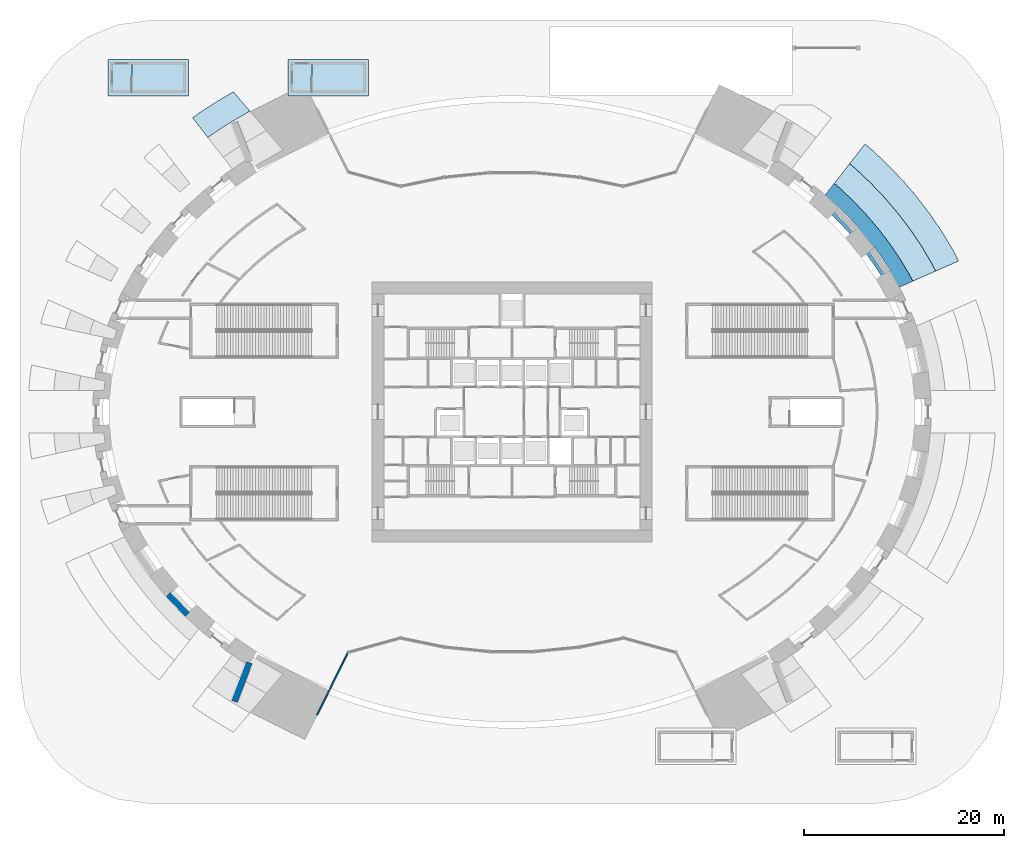
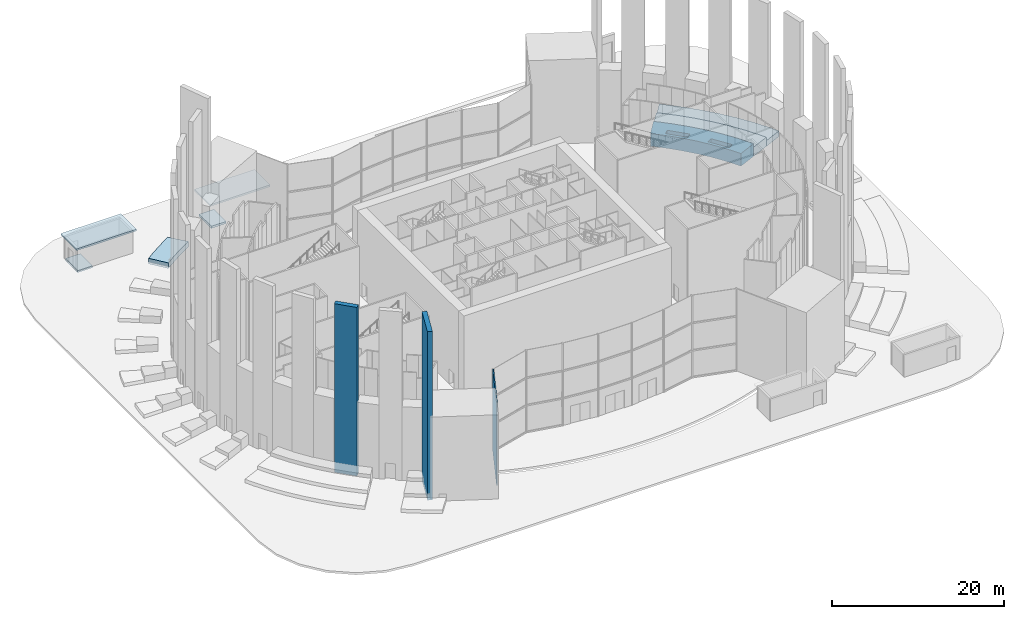
# One storey, part 6 of 25: 8 slabs, 3 walls.
"""IFC4 building model written with IfcOpenShell, lengths in metres."""

from ifc_helpers import new_model, si_unit, direction, frame, frame_2d, origin, place, context, subcontext, project, spatial, polyline, rectangle, outline, extrude, source, transform, mapped, material, layer, layer_set, type_object, element, save


model = new_model("IFC4")

# Units and contexts
model_context = context("Model", 3, precision=1e-05, world=origin(), true_north=direction((0.0, 1.0)))
body_context = subcontext(model_context, "Body", "Model", "MODEL_VIEW")
ifc_project = project(units=[si_unit("LENGTHUNIT", "METRE"), si_unit("AREAUNIT", "SQUARE_METRE"), si_unit("VOLUMEUNIT", "CUBIC_METRE"), si_unit("PLANEANGLEUNIT", "RADIAN"), si_unit("MASSUNIT", "GRAM", prefix="KILO")], contexts=[model_context])

# Site, building, storey
site_placement = place(None, origin())
site = spatial("IfcSite", under=ifc_project, at=site_placement, CompositionType="ELEMENT")
building_placement = place(site_placement, origin())
building = spatial("IfcBuilding", under=site, at=building_placement, Name="Embergate Tower", CompositionType="ELEMENT")
storey_placement = place(building_placement, origin())
storey = spatial("IfcBuildingStorey", under=building, at=storey_placement, Name="L00", CompositionType="ELEMENT", Elevation=0.0)

# Slabs
ifc_material_1 = material(Name="Concrete C40", Category="concrete")
ifc_layer_1 = layer(ifc_material_1, 0.300048828125)
ifc_layer_set_1 = layer_set([ifc_layer_1], Name="Concrete C40")
slab_type_1 = type_object("IfcSlabType", Name="Pavilion floor C40 300", PredefinedType="FLOOR", material=ifc_layer_set_1)
shared_shape_1 = source(origin(), body_context, "Body", "SweptSolid", [
    extrude(outline(polyline([(0.0, 0.0), (0.0, 2.85009765625), (2.0, 2.85009765625), (2.0, 0.0), (0.0, 0.0)])), origin(), (0.0, 0.0, 1.0), 0.300048828125),
])
for number, where, name in (
    (1, (-22.0, 32.0, -0.300048828125), "Pavilion floor"),
    (2, (-40.0, 32.0, -0.300048828125), "Pavilion floor"),
):
    element("IfcSlab", number, at=place(storey_placement, frame(where)), inside=storey, type_object=slab_type_1, Name=name, PredefinedType="FLOOR", context=body_context, shape_type="MappedRepresentation", body=[
        mapped(shared_shape_1, transform((0.0, 0.0, 0.0))),
    ])
ifc_layer_2 = layer(ifc_material_1, 0.25)
ifc_layer_set_2 = layer_set([ifc_layer_2], Name="Concrete C40")
slab_type_2 = type_object("IfcSlabType", Name="Stair head house roof C40 250", PredefinedType="ROOF", material=ifc_layer_set_2)
shared_shape_2 = source(origin(), body_context, "Body", "SweptSolid", [
    extrude(outline(polyline([(0.0, 0.0), (8.06982421875, 0.0), (8.06982421875, 3.64990234375), (0.0, 3.64990234375), (0.0, 0.0)])), origin(), (0.0, 0.0, 1.0), 0.25),
])
for number, where, name in (
    (3, (-22.39990234375, 31.60009765625, 3.199951171875), "Stair head house roof"),
    (4, (-40.39990234375, 31.60009765625, 3.199951171875), "Stair head house roof"),
):
    element("IfcSlab", number, at=place(storey_placement, frame(where)), inside=storey, type_object=slab_type_2, Name=name, PredefinedType="ROOF", context=body_context, shape_type="MappedRepresentation", body=[
        mapped(shared_shape_2, transform((0.0, 0.0, 0.0))),
    ])
ifc_material_2 = material(Name="Stone on concrete fill", Category="masonry")
ifc_layer_3 = layer(ifc_material_2, 0.5)
ifc_layer_set_3 = layer_set([ifc_layer_3], Name="Stone plinth step")
slab_type_3 = type_object("IfcSlabType", Name="Plinth step stone 500", PredefinedType="USERDEFINED", material=ifc_layer_set_3)
shared_shape_3 = source(origin(), body_context, "Body", "SweptSolid", [
    extrude(outline(polyline([(0.0, 0.0), (2.291015625, 1.009033203125), (1.958984375, 1.651123046875), (1.001953125, 3.25390625), (-0.05712890625, 4.81201171875), (-1.214111328125, 6.320068359375), (-2.4169921875, 7.720947265625), (-3.703125, 9.070068359375), (-5.070068359375, 10.364013671875), (-5.56201171875, 10.785888671875), (-7.09912109375, 8.81201171875), (-6.7431640625, 8.506103515625), (-5.467041015625, 7.299072265625), (-4.27001953125, 6.04296875), (-3.154052734375, 4.742919921875), (-2.0830078125, 3.346923828125), (-1.10498046875, 1.908935546875), (-0.22412109375, 0.43408203125), (0.0, 0.0)]), holes=[polyline([(-0.524169921875, 1.697021484375), (-2.091064453125, 3.9951171875), (-1.51318359375, 4.389892578125), (0.054931640625, 2.091064453125), (-0.524169921875, 1.697021484375)]), polyline([(-3.670166015625, 5.93701171875), (-5.5751953125, 7.928955078125), (-5.069091796875, 8.4130859375), (-3.1640625, 6.4208984375), (-3.670166015625, 5.93701171875)])]), origin(), (0.0, 0.0, 1.0), 1.800048828125),
])
slab_1_placement = place(storey_placement, frame((37.7880859375, 12.072998046875, -0.300048828125)))
element("IfcSlab", 5, at=slab_1_placement, inside=storey, type_object=slab_type_3, Name="Plinth step", ObjectType="PLINTH STEP", PredefinedType="USERDEFINED", context=body_context, shape_type="MappedRepresentation", body=[
    mapped(shared_shape_3, transform((0.0, 0.0, 0.0))),
])
shared_shape_4 = source(origin(), body_context, "Body", "SweptSolid", [
    extrude(outline(polyline([(0.0, 0.0), (-0.33203125, 0.64208984375), (-1.2890625, 2.244873046875), (-2.34814453125, 3.802978515625), (-3.505126953125, 5.31103515625), (-4.7080078125, 6.7119140625), (-5.994140625, 8.06103515625), (-7.361083984375, 9.35498046875), (-7.85302734375, 9.77685546875), (-6.316162109375, 11.7509765625), (-5.68798828125, 11.212890625), (-4.22998046875, 9.83203125), (-2.85400390625, 8.389892578125), (-1.566162109375, 6.887939453125), (-0.322021484375, 5.26806640625), (0.81884765625, 3.590087890625), (1.851806640625, 1.85888671875), (2.2919921875, 1.008056640625), (0.0, 0.0)])), origin(), (0.0, 0.0, 1.0), 1.300048828125),
])
slab_2_placement = place(storey_placement, frame((40.0791015625, 13.08203125, -0.300048828125)))
element("IfcSlab", 6, at=slab_2_placement, inside=storey, type_object=slab_type_3, Name="Plinth step", ObjectType="PLINTH STEP", PredefinedType="USERDEFINED", context=body_context, shape_type="MappedRepresentation", body=[
    mapped(shared_shape_4, transform((0.0, 0.0, 0.0))),
])
shared_shape_5 = source(origin(), body_context, "Body", "SweptSolid", [
    extrude(outline(polyline([(0.0, 0.0), (-0.440185546875, 0.850830078125), (-1.47314453125, 2.58203125), (-2.614013671875, 4.260009765625), (-3.858154296875, 5.8798828125), (-5.14599609375, 7.3818359375), (-6.52197265625, 8.823974609375), (-7.97998046875, 10.204833984375), (-8.608154296875, 10.742919921875), (-7.070068359375, 12.718017578125), (-6.30712890625, 12.06201171875), (-4.757080078125, 10.594970703125), (-3.293212890625, 9.058837890625), (-1.918212890625, 7.45703125), (-0.588134765625, 5.723876953125), (0.6337890625, 3.927001953125), (1.743896484375, 2.06787109375), (2.2919921875, 1.009033203125), (0.0, 0.0)])), origin(), (0.0, 0.0, 1.0), 0.800048828125),
])
slab_3_placement = place(storey_placement, frame((42.37109375, 14.090087890625, -0.300048828125)))
element("IfcSlab", 7, at=slab_3_placement, inside=storey, type_object=slab_type_3, Name="Plinth step", ObjectType="PLINTH STEP", PredefinedType="USERDEFINED", context=body_context, shape_type="MappedRepresentation", body=[
    mapped(shared_shape_5, transform((0.0, 0.0, 0.0))),
])
shared_shape_6 = source(origin(), body_context, "Body", "SweptSolid", [
    extrude(outline(polyline([(0.0, 0.0), (-1.536865234375, 1.97412109375), (-0.742919921875, 2.537109375), (0.962158203125, 3.638916015625), (2.55419921875, 4.573974609375), (4.205078125, 2.631103515625), (3.944091796875, 2.491943359375), (2.274169921875, 1.510009765625), (0.658203125, 0.467041015625), (0.0, 0.0)])), origin(), (0.0, 0.0, 1.0), 0.800048828125),
])
slab_4_placement = place(storey_placement, frame((-30.4130859375, 27.447998046875, -0.300048828125)))
element("IfcSlab", 8, at=slab_4_placement, inside=storey, type_object=slab_type_3, Name="Plinth step", ObjectType="PLINTH STEP", PredefinedType="USERDEFINED", context=body_context, shape_type="MappedRepresentation", body=[
    mapped(shared_shape_6, transform((0.0, 0.0, 0.0))),
])

# Walls
ifc_material_3 = material(Name="Brick masonry, solid, with terracotta coping", Category="masonry")
ifc_layer_4 = layer(ifc_material_3, 0.60009765625)
ifc_layer_set_4 = layer_set([ifc_layer_4], Name="Brick masonry, solid, with terracotta coping")
wall_type_1 = type_object("IfcWallType", Name="Masonry base wall", PredefinedType="SOLIDWALL", material=ifc_layer_set_4)
shared_shape_7 = source(origin(), body_context, "Body", "SweptSolid", [
    extrude(rectangle(XDim=4.158203125, YDim=0.60009765625, at=frame_2d((2.0791015625, 0.0))), origin(), (0.0, 0.0, 1.0), 24.0),
])
wall_1_placement = place(storey_placement, frame((-27.75634765625, -28.943359375, 0.0), z_axis=(0.0, 0.0, 1.0), x_axis=(0.359557362016, 0.933122984081, 0.0)))
element("IfcWall", 9, at=wall_1_placement, inside=storey, type_object=wall_type_1, Name="Masonry base wall 28", PredefinedType="SOLIDWALL", context=body_context, shape_type="MappedRepresentation", body=[
    mapped(shared_shape_7, transform((0.0, 0.0, 0.0))),
])
shared_shape_8 = source(origin(), body_context, "Body", "SweptSolid", [
    extrude(rectangle(XDim=2.75634765625, YDim=0.60009765625, at=frame_2d((1.378173828125, 0.0))), origin(), (0.0, 0.0, 1.0), 24.0),
])
wall_2_placement = place(storey_placement, frame((-32.4658203125, -20.243896484375, 0.0), z_axis=(0.0, 0.0, 1.0), x_axis=(-0.691073808808, 0.722784193781, 0.0)))
element("IfcWall", 10, at=wall_2_placement, inside=storey, type_object=wall_type_1, Name="Masonry base wall 26", PredefinedType="SOLIDWALL", context=body_context, shape_type="MappedRepresentation", body=[
    mapped(shared_shape_8, transform((0.0, 0.0, 0.0))),
])
ifc_material_4 = material(Name="Aluminium and toughened glass", Category="aluminium")
ifc_layer_5 = layer(ifc_material_4, 0.139892578125)
ifc_layer_set_5 = layer_set([ifc_layer_5], Name="Aluminium and toughened glass")
wall_type_2 = type_object("IfcWallType", Name="Glazed portal return", PredefinedType="SOLIDWALL", material=ifc_layer_set_5)
shared_shape_9 = source(origin(), body_context, "Body", "SweptSolid", [
    extrude(rectangle(XDim=7.0, YDim=0.139892578125, at=frame_2d((3.5, 0.0))), origin(), (0.0, 0.0, 1.0), 11.699951171875),
])
wall_3_placement = place(storey_placement, frame((-19.4951171875, -30.2880859375, 0.0), z_axis=(0.0, 0.0, 1.0), x_axis=(0.444714670292, 0.895672296115, 0.0)))
element("IfcWall", 11, at=wall_3_placement, inside=storey, type_object=wall_type_2, Name="Portal return S1", PredefinedType="SOLIDWALL", context=body_context, shape_type="MappedRepresentation", body=[
    mapped(shared_shape_9, transform((0.0, 0.0, 0.0))),
])

save(model, "model.ifc")
